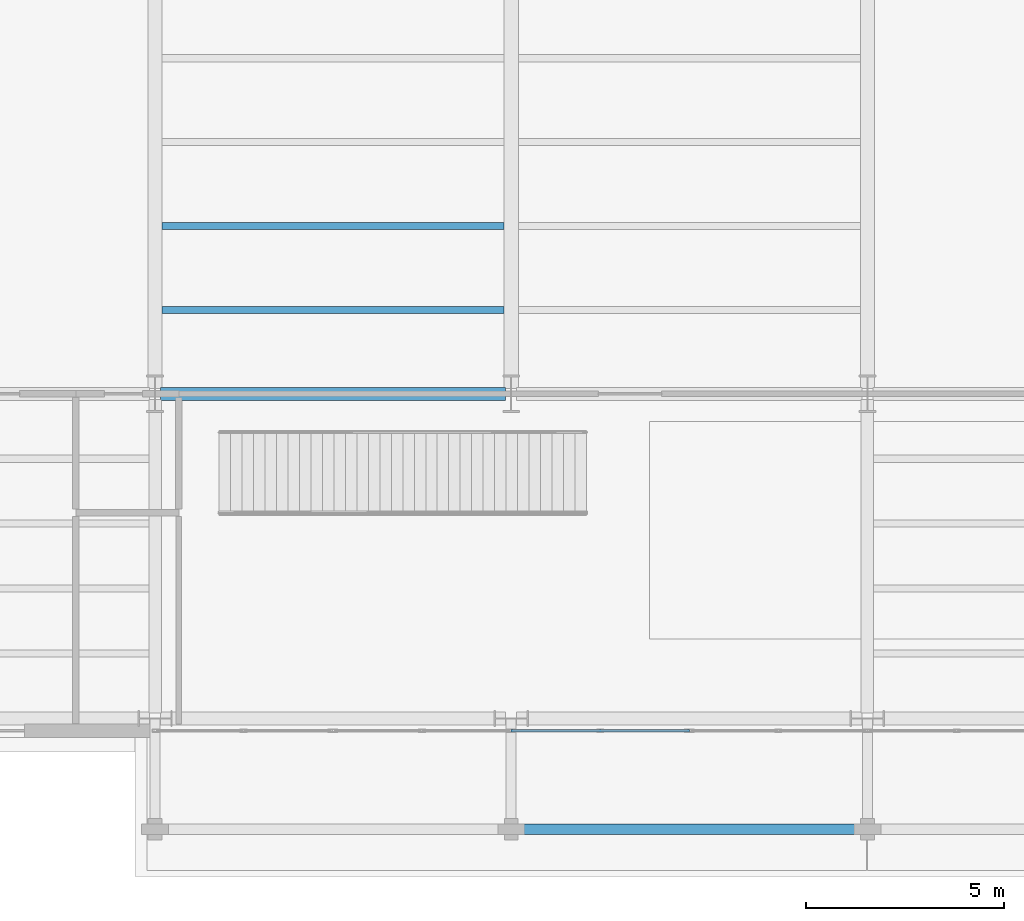
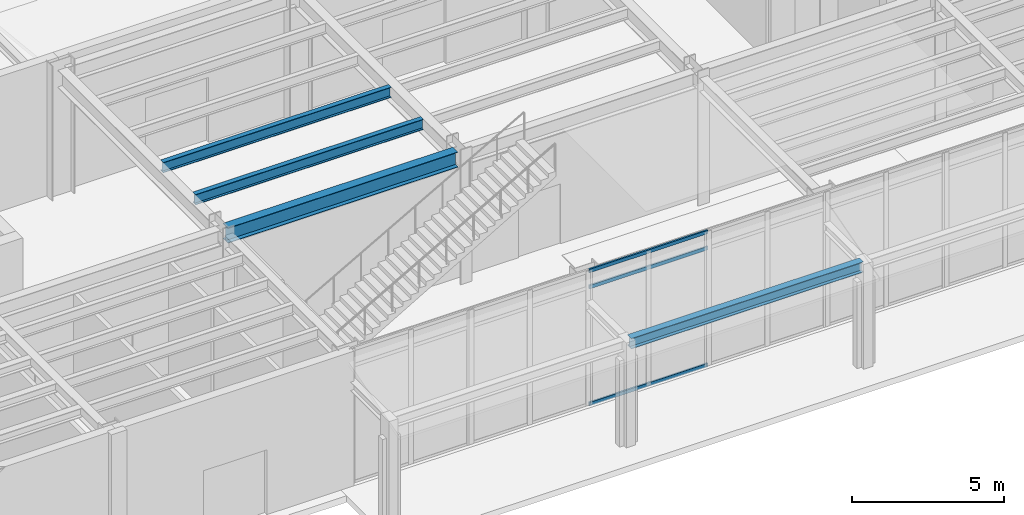
# One storey, part 25 of 94: 4 beams, 3 members, 1 element without a shape of its own.
"""IFC4 building model written with IfcOpenShell, lengths in metres."""

from ifc_helpers import new_model, si_unit, direction, frame, origin, origin_2d, place, context, subcontext, project, spatial, hollow_rectangle, i_section, extrude, material, layer, layer_set, material_profile, profile_set, type_object, element, aggregate, save


model = new_model("IFC4")

# Units and contexts
model_context = context("Model", 3, precision=1e-05, world=origin(), true_north=direction((0.0, 1.0)))
body_context = subcontext(model_context, "Body", "Model", "MODEL_VIEW")
ifc_project = project(units=[si_unit("LENGTHUNIT", "METRE"), si_unit("AREAUNIT", "SQUARE_METRE"), si_unit("VOLUMEUNIT", "CUBIC_METRE"), si_unit("PLANEANGLEUNIT", "RADIAN"), si_unit("MASSUNIT", "GRAM", prefix="KILO")], contexts=[model_context])

# Site, building, storey
site_placement = place(None, origin())
site = spatial("IfcSite", under=ifc_project, at=site_placement, CompositionType="ELEMENT")
building_placement = place(site_placement, origin())
building = spatial("IfcBuilding", under=site, at=building_placement, Name="Sollismere Congress Hotel", CompositionType="ELEMENT")
storey_placement = place(building_placement, origin())
storey = spatial("IfcBuildingStorey", under=building, at=storey_placement, Name="L00", CompositionType="ELEMENT", Elevation=0.0)

# Beams
ifc_material_1 = material(Name="Steel ASTM A992 Grade 50", Category="steel")
ifc_material_profile_1 = material_profile(ifc_material_1, i_section(OverallWidth=0.324951171875, OverallDepth=0.612060546875, WebThickness=0.0126953125, FlangeThickness=0.01904296875, at=origin_2d()), Name="W24X104")
ifc_profile_set_1 = profile_set([ifc_material_profile_1], Name="Steel ASTM A992 Grade 50")
beam_type_1 = type_object("IfcBeamType", Name="BM-G24", PredefinedType="BEAM", material=ifc_profile_set_1)
beam_1_placement = place(storey_placement, frame((67.139892578125, 8.199951171875, 4.80908203125), z_axis=(1.0, 0.0, 0.0), x_axis=(0.0, 1.0, 0.0)))
element("IfcBeam", 1, at=beam_1_placement, inside=storey, type_object=beam_type_1, Name="Beam BM-L00-1142", PredefinedType="BEAM", context=body_context, shape_type="SweptSolid", body=[
    extrude(i_section(OverallWidth=0.324951171875, OverallDepth=0.612060546875, WebThickness=0.0126953125, FlangeThickness=0.01904296875, at=origin_2d()), origin(), (0.0, 0.0, 1.0), 8.72021484375),
])
ifc_material_profile_2 = material_profile(ifc_material_1, i_section(OverallWidth=0.180908203125, OverallDepth=0.4169921875, WebThickness=0.010986328125, FlangeThickness=0.018310546875, at=origin_2d()), Name="W16X57")
ifc_profile_set_2 = profile_set([ifc_material_profile_2], Name="Steel ASTM A992 Grade 50")
beam_type_2 = type_object("IfcBeamType", Name="BM-J16", PredefinedType="JOIST", material=ifc_profile_set_2)
for number, where, z_axis, x_axis, name in (
    (2, (67.177978515625, 10.320068359375, 4.906494140625), (1.0, 0.0, 0.0), (0.0, 1.0, 0.0), "Beam BM-L00-1376"),
    (3, (67.177978515625, 12.43994140625, 4.906494140625), (1.0, 0.0, 0.0), (0.0, 1.0, 0.0), "Beam BM-L00-1377"),
):
    element("IfcBeam", number, at=place(storey_placement, frame(where, z_axis=z_axis, x_axis=x_axis)), inside=storey, type_object=beam_type_2, Name=name, PredefinedType="JOIST", context=body_context, shape_type="SweptSolid", body=[
        extrude(i_section(OverallWidth=0.180908203125, OverallDepth=0.4169921875, WebThickness=0.010986328125, FlangeThickness=0.018310546875, at=origin_2d()), origin(), (0.0, 0.0, 1.0), 8.64404296875),
    ])
ifc_material_profile_3 = material_profile(ifc_material_1, i_section(OverallWidth=0.261962890625, OverallDepth=0.4189453125, WebThickness=0.01171875, FlangeThickness=0.019287109375, at=origin_2d()), Name="W16X77")
ifc_profile_set_3 = profile_set([ifc_material_profile_3], Name="Steel ASTM A992 Grade 50")
beam_type_3 = type_object("IfcBeamType", Name="BM-LN16E", PredefinedType="LINTEL", material=ifc_profile_set_3)
beam_2_placement = place(storey_placement, frame((76.10009765625, -2.800048828125, 3.990478515625), z_axis=(1.0, 0.0, 0.0), x_axis=(0.0, 1.0, 0.0)))
element("IfcBeam", 4, at=beam_2_placement, inside=storey, type_object=beam_type_3, Name="Beam BM-L00-3844", PredefinedType="LINTEL", context=body_context, shape_type="SweptSolid", body=[
    extrude(i_section(OverallWidth=0.261962890625, OverallDepth=0.4189453125, WebThickness=0.01171875, FlangeThickness=0.019287109375, at=origin_2d()), origin(), (0.0, 0.0, 1.0), 8.7998046875),
])

# Curtain wall, members
ifc_material_2 = material(Name="Anodized Bronze Curtain Wall & Low-E Triple Glazing", Category="glass")
ifc_layer = layer(ifc_material_2, 0.199951171875, Name="Anodized Bronze Curtain Wall & Low-E Triple Glazing")
ifc_layer_set = layer_set([ifc_layer], Name="Anodized Bronze Curtain Wall & Low-E Triple Glazing")
curtain_wall_type = type_object("IfcCurtainWallType", Name="CW-GLZ36", PredefinedType="USERDEFINED", material=ifc_layer_set)
curtain_wall_placement = place(storey_placement, origin())
curtain_wall = element("IfcCurtainWall", 5, at=curtain_wall_placement, inside=storey, type_object=curtain_wall_type, Name="Unitised curtain wall CW-L00-149", ObjectType="UNITISED CURTAIN WALL", PredefinedType="USERDEFINED")
ifc_material_3 = material(Name="Anodized Aluminum 6063-T6", Category="aluminium")
ifc_material_profile_4 = material_profile(ifc_material_3, hollow_rectangle(XDim=0.06494140625, YDim=0.139892578125, WallThickness=0.00390625, at=origin_2d()), Name="ALU140X65X4")
ifc_profile_set_4 = profile_set([ifc_material_profile_4], Name="Anodized Aluminum 6063-T6")
member_type = type_object("IfcMemberType", Name="TR-CW150", PredefinedType="MEMBER", material=ifc_profile_set_4)
member_1_placement = place(storey_placement, frame((76.0, -0.31005859375, 0.032470703125), z_axis=(1.0, 0.0, 0.0), x_axis=(0.0, 1.0, 0.0)))
member_1 = element("IfcMember", 6, at=member_1_placement, type_object=member_type, Name="CWL-CW-L00-149-TR1", PredefinedType="MEMBER", context=body_context, shape_type="SweptSolid", body=[
    extrude(hollow_rectangle(XDim=0.06494140625, YDim=0.139892578125, WallThickness=0.00390625, at=origin_2d()), origin(), (0.0, 0.0, 1.0), 4.5),
])
member_2_placement = place(storey_placement, frame((76.0, -0.31005859375, 4.719970703125), z_axis=(1.0, 0.0, 0.0), x_axis=(0.0, 1.0, 0.0)))
member_2 = element("IfcMember", 7, at=member_2_placement, type_object=member_type, Name="CWL-CW-L00-149-TR2", PredefinedType="MEMBER", context=body_context, shape_type="SweptSolid", body=[
    extrude(hollow_rectangle(XDim=0.06494140625, YDim=0.139892578125, WallThickness=0.00390625, at=origin_2d()), origin(), (0.0, 0.0, 1.0), 4.5),
])
member_3_placement = place(storey_placement, frame((76.0, -0.31005859375, 5.367431640625), z_axis=(1.0, 0.0, 0.0), x_axis=(0.0, 1.0, 0.0)))
member_3 = element("IfcMember", 8, at=member_3_placement, type_object=member_type, Name="CWL-CW-L00-149-TR3", PredefinedType="MEMBER", context=body_context, shape_type="SweptSolid", body=[
    extrude(hollow_rectangle(XDim=0.06494140625, YDim=0.139892578125, WallThickness=0.00390625, at=origin_2d()), origin(), (0.0, 0.0, 1.0), 4.5),
])
aggregate(curtain_wall, [member_1, member_2, member_3])

save(model, "model.ifc")
